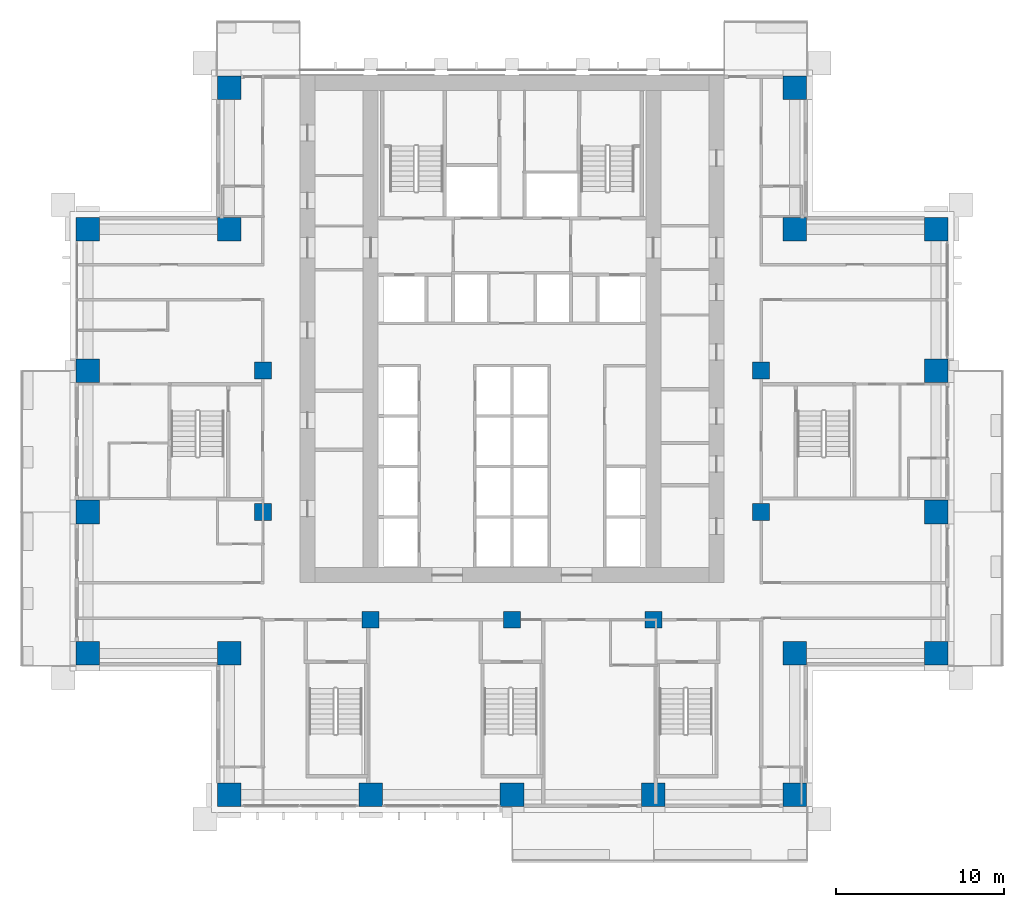
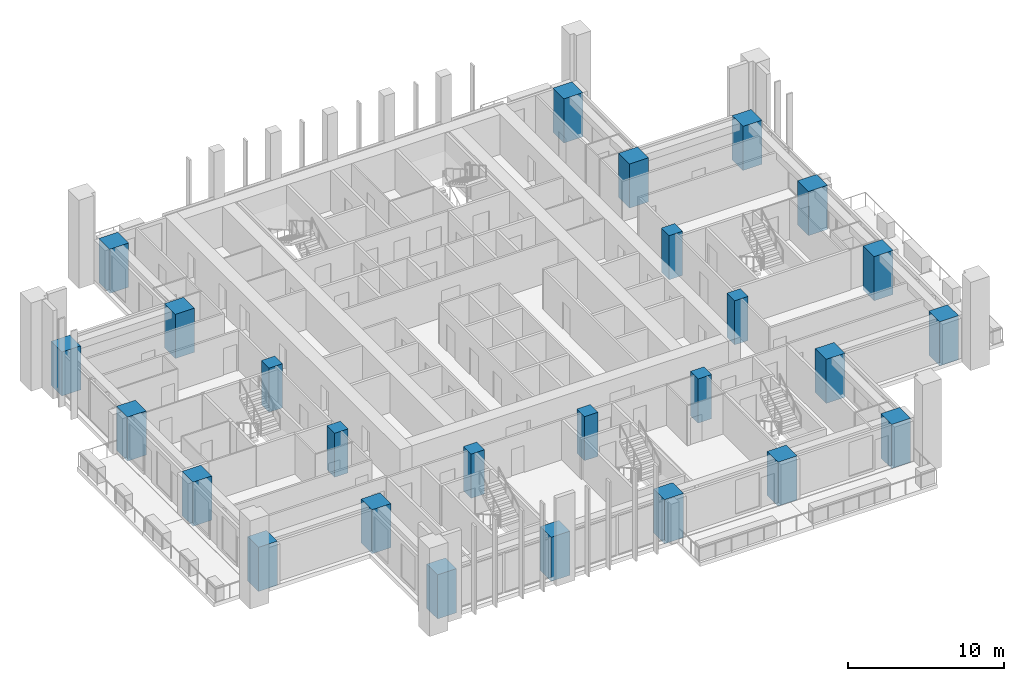
# One storey, part 1 of 19: 26 columns.
"""IFC4 building model written with IfcOpenShell, lengths in metres."""

from ifc_helpers import new_model, si_unit, direction, frame, origin, origin_2d, place, context, subcontext, project, spatial, rectangle, extrude, material, material_profile, profile_set, type_object, element, save


model = new_model("IFC4")

# Units and contexts
model_context = context("Model", 3, precision=1e-05, world=origin(), true_north=direction((0.0, 1.0)))
body_context = subcontext(model_context, "Body", "Model", "MODEL_VIEW")
ifc_project = project(units=[si_unit("LENGTHUNIT", "METRE"), si_unit("AREAUNIT", "SQUARE_METRE"), si_unit("VOLUMEUNIT", "CUBIC_METRE"), si_unit("PLANEANGLEUNIT", "RADIAN"), si_unit("MASSUNIT", "GRAM", prefix="KILO")], contexts=[model_context])

# Site, building, storey
site_placement = place(None, origin())
site = spatial("IfcSite", under=ifc_project, at=site_placement, CompositionType="ELEMENT")
building_placement = place(site_placement, origin())
building = spatial("IfcBuilding", under=site, at=building_placement, Name="Vermilion Ogive Tower", CompositionType="ELEMENT")
storey_placement = place(building_placement, frame((0.0, 0.0, 48.300048828125)))
storey = spatial("IfcBuildingStorey", under=building, at=storey_placement, Name="L10", CompositionType="ELEMENT", Elevation=48.300048828125)

# Columns
ifc_material_1 = material(Name="Concrete B80", Category="concrete")
ifc_material_profile_1 = material_profile(ifc_material_1, rectangle(XDim=1.39990234375, YDim=1.39990234375, at=origin_2d()), Name="1400 x 1400")
ifc_profile_set_1 = profile_set([ifc_material_profile_1], Name="Concrete B80")
column_type_1 = type_object("IfcColumnType", Name="Perimeter column 1400 x 1400 B80", PredefinedType="COLUMN", material=ifc_profile_set_1)
for number, where, z_axis, x_axis, name in (
    (1, (-16.800048828125, -21.0, -0.320068359375), (0.0, 0.0, 1.0), (1.0, 0.0, 0.0), "COL-L10-P-0168-210"),
    (2, (-8.39990234375, -21.0, -0.320068359375), (0.0, 0.0, 1.0), (1.0, 0.0, 0.0), "COL-L10-P-0084-210"),
    (3, (0.0, -21.0, -0.320068359375), (0.0, 0.0, 1.0), (1.0, 0.0, 0.0), "COL-L10-P+0000-210"),
    (4, (8.39990234375, -21.0, -0.320068359375), (0.0, 0.0, 1.0), (1.0, 0.0, 0.0), "COL-L10-P+0084-210"),
    (5, (16.800048828125, -21.0, -0.320068359375), (0.0, 0.0, 1.0), (1.0, 0.0, 0.0), "COL-L10-P+0168-210"),
    (6, (-25.199951171875, -12.60009765625, -0.320068359375), (0.0, 0.0, 1.0), (1.0, 0.0, 0.0), "COL-L10-P-0252-126"),
    (7, (-16.800048828125, -12.60009765625, -0.320068359375), (0.0, 0.0, 1.0), (1.0, 0.0, 0.0), "COL-L10-P-0168-126"),
    (8, (16.800048828125, -12.60009765625, -0.320068359375), (0.0, 0.0, 1.0), (1.0, 0.0, 0.0), "COL-L10-P+0168-126"),
    (9, (25.199951171875, -12.60009765625, -0.320068359375), (0.0, 0.0, 1.0), (1.0, 0.0, 0.0), "COL-L10-P+0252-126"),
    (10, (-25.199951171875, -4.199951171875, -0.320068359375), (0.0, 0.0, 1.0), (1.0, 0.0, 0.0), "COL-L10-P-0252-042"),
    (11, (25.199951171875, -4.199951171875, -0.320068359375), (0.0, 0.0, 1.0), (1.0, 0.0, 0.0), "COL-L10-P+0252-042"),
    (12, (-25.199951171875, 4.199951171875, -0.320068359375), (0.0, 0.0, 1.0), (1.0, 0.0, 0.0), "COL-L10-P-0252+042"),
    (13, (25.199951171875, 4.199951171875, -0.320068359375), (0.0, 0.0, 1.0), (1.0, 0.0, 0.0), "COL-L10-P+0252+042"),
    (14, (-25.199951171875, 12.60009765625, -0.320068359375), (0.0, 0.0, 1.0), (1.0, 0.0, 0.0), "COL-L10-P-0252+126"),
    (15, (-16.800048828125, 12.60009765625, -0.320068359375), (0.0, 0.0, 1.0), (1.0, 0.0, 0.0), "COL-L10-P-0168+126"),
    (16, (16.800048828125, 12.60009765625, -0.320068359375), (0.0, 0.0, 1.0), (1.0, 0.0, 0.0), "COL-L10-P+0168+126"),
    (17, (25.199951171875, 12.60009765625, -0.320068359375), (0.0, 0.0, 1.0), (1.0, 0.0, 0.0), "COL-L10-P+0252+126"),
    (18, (-16.800048828125, 21.0, -0.320068359375), (0.0, 0.0, 1.0), (1.0, 0.0, 0.0), "COL-L10-P-0168+210"),
    (19, (16.800048828125, 21.0, -0.320068359375), (0.0, 0.0, 1.0), (1.0, 0.0, 0.0), "COL-L10-P+0168+210"),
):
    element("IfcColumn", number, at=place(storey_placement, frame(where, z_axis=z_axis, x_axis=x_axis)), inside=storey, type_object=column_type_1, Name=name, PredefinedType="COLUMN", context=body_context, shape_type="SweptSolid", body=[
        extrude(rectangle(XDim=1.39990234375, YDim=1.39990234375, at=origin_2d()), origin(), (0.0, 0.0, 1.0), 3.449951171875),
    ])
ifc_material_2 = material(Name="Concrete B80", Category="concrete")
ifc_material_profile_2 = material_profile(ifc_material_2, rectangle(XDim=1.0, YDim=1.0, at=origin_2d()), Name="1000 x 1000")
ifc_profile_set_2 = profile_set([ifc_material_profile_2], Name="Concrete B80")
column_type_2 = type_object("IfcColumnType", Name="Ring column 1000 x 1000 B80", PredefinedType="COLUMN", material=ifc_profile_set_2)
for number, where, z_axis, x_axis, name in (
    (20, (-8.39990234375, -10.60009765625, -0.320068359375), (0.0, 0.0, 1.0), (1.0, 0.0, 0.0), "COL-L10-R-0084-106"),
    (21, (0.0, -10.60009765625, -0.320068359375), (0.0, 0.0, 1.0), (1.0, 0.0, 0.0), "COL-L10-R+0000-106"),
    (22, (8.39990234375, -10.60009765625, -0.320068359375), (0.0, 0.0, 1.0), (1.0, 0.0, 0.0), "COL-L10-R+0084-106"),
    (23, (-14.800048828125, -4.199951171875, -0.320068359375), (0.0, 0.0, 1.0), (1.0, 0.0, 0.0), "COL-L10-R-0148-042"),
    (24, (14.800048828125, -4.199951171875, -0.320068359375), (0.0, 0.0, 1.0), (1.0, 0.0, 0.0), "COL-L10-R+0148-042"),
    (25, (-14.800048828125, 4.199951171875, -0.320068359375), (0.0, 0.0, 1.0), (1.0, 0.0, 0.0), "COL-L10-R-0148+042"),
    (26, (14.800048828125, 4.199951171875, -0.320068359375), (0.0, 0.0, 1.0), (1.0, 0.0, 0.0), "COL-L10-R+0148+042"),
):
    element("IfcColumn", number, at=place(storey_placement, frame(where, z_axis=z_axis, x_axis=x_axis)), inside=storey, type_object=column_type_2, Name=name, PredefinedType="COLUMN", context=body_context, shape_type="SweptSolid", body=[
        extrude(rectangle(XDim=1.0, YDim=1.0, at=origin_2d()), origin(), (0.0, 0.0, 1.0), 3.449951171875),
    ])

save(model, "model.ifc")
